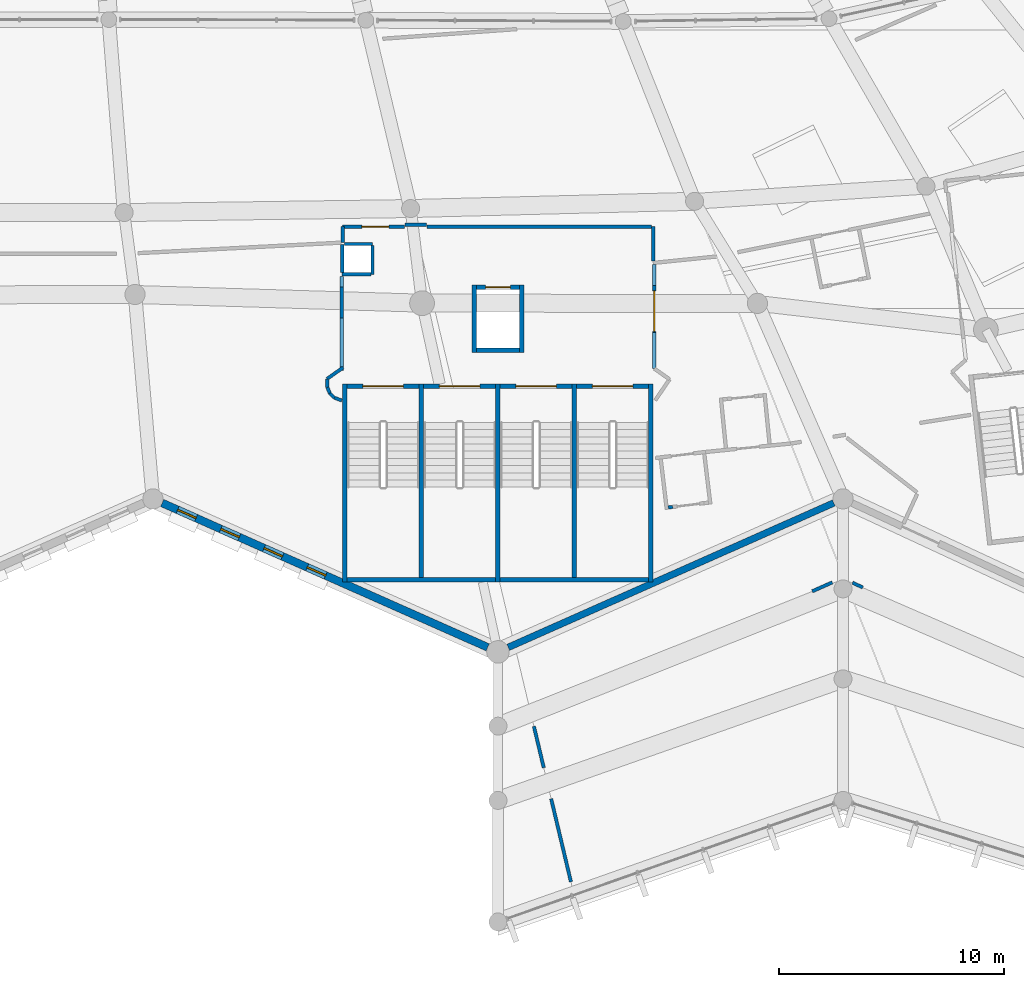
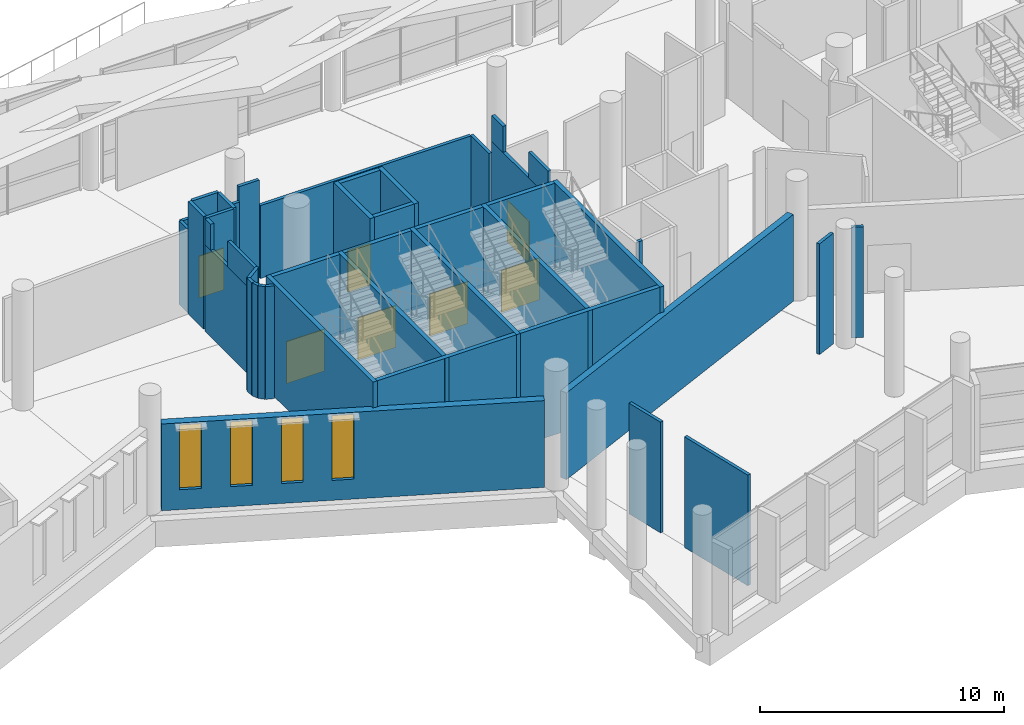
# One storey, part 148 of 249: 42 walls, 7 doors, 4 windows, 11 openings.
"""IFC4 building model written with IfcOpenShell, lengths in metres."""

from ifc_helpers import new_model, si_unit, direction, frame, frame_2d, origin, place, context, subcontext, project, spatial, rectangle, extrude, material, layer, layer_set, type_object, element, fill, save


model = new_model("IFC4")

# Units and contexts
model_context = context("Model", 3, precision=1e-05, world=origin(), true_north=direction((0.0, 1.0)))
body_context = subcontext(model_context, "Body", "Model", "MODEL_VIEW")
ifc_project = project(units=[si_unit("LENGTHUNIT", "METRE"), si_unit("AREAUNIT", "SQUARE_METRE"), si_unit("VOLUMEUNIT", "CUBIC_METRE"), si_unit("PLANEANGLEUNIT", "RADIAN"), si_unit("MASSUNIT", "GRAM", prefix="KILO")], contexts=[model_context])

# Site, building, storey
site_placement = place(None, origin())
site = spatial("IfcSite", under=ifc_project, at=site_placement, CompositionType="ELEMENT")
building_placement = place(site_placement, origin())
building = spatial("IfcBuilding", under=site, at=building_placement, Name="Meseta Stadium", CompositionType="ELEMENT")
storey_placement = place(building_placement, frame((0.0, 0.0, 12.0)))
storey = spatial("IfcBuildingStorey", under=building, at=storey_placement, Name="L02", CompositionType="ELEMENT", Elevation=12.0)

# Walls
ifc_material_1 = material(Name="Concrete C40/50", Category="concrete")
ifc_layer_1 = layer(ifc_material_1, 0.199951171875)
ifc_layer_set_1 = layer_set([ifc_layer_1], Name="Core divider wall 200")
wall_type_1 = type_object("IfcWallType", Name="Core divider wall 200", PredefinedType="SHEAR", material=ifc_layer_set_1)
for number, where, z_axis, x_axis, name in (
    (1, (19.60009765625, -102.300048828125, 0.0), (0.0, 0.0, 1.0), (0.0, 1.0, 0.0), "Core 25 L02 stair A divider wall"),
    (2, (26.39990234375, -102.300048828125, 0.0), (0.0, 0.0, 1.0), (0.0, 1.0, 0.0), "Core 25 L02 stair B divider wall"),
):
    element("IfcWall", number, at=place(storey_placement, frame(where, z_axis=z_axis, x_axis=x_axis)), inside=storey, type_object=wall_type_1, Name=name, PredefinedType="SHEAR", context=body_context, shape_type="SweptSolid", body=[
        extrude(rectangle(XDim=8.800048828125, YDim=0.199951171875, at=frame_2d((4.39990234375, 0.0))), origin(), (0.0, 0.0, 1.0), 5.64990234375),
    ])
ifc_material_2 = material(Name="Concrete C40/50", Category="concrete")
ifc_layer_2 = layer(ifc_material_2, 0.199951171875)
ifc_layer_set_2 = layer_set([ifc_layer_2], Name="Core shaft wall 200")
wall_type_2 = type_object("IfcWallType", Name="Core shaft wall 200", PredefinedType="SHEAR", material=ifc_layer_set_2)
for number, where, z_axis, x_axis, name in (
    (3, (16.199951171875, -102.300048828125, 0.0), (0.0, 0.0, 1.0), (0.0, 1.0, 0.0), "Core 25 L02 stair wall A-side"),
    (4, (23.0, -102.300048828125, 0.0), (0.0, 0.0, 1.0), (0.0, 1.0, 0.0), "Core 25 L02 stair wall shared"),
    (5, (29.800048828125, -102.300048828125, 0.0), (0.0, 0.0, 1.0), (0.0, 1.0, 0.0), "Core 25 L02 stair wall B-side"),
):
    element("IfcWall", number, at=place(storey_placement, frame(where, z_axis=z_axis, x_axis=x_axis)), inside=storey, type_object=wall_type_2, Name=name, PredefinedType="SHEAR", context=body_context, shape_type="SweptSolid", body=[
        extrude(rectangle(XDim=8.800048828125, YDim=0.199951171875, at=frame_2d((4.39990234375, 0.0))), origin(), (0.0, 0.0, 1.0), 5.64990234375),
    ])
for number, where, z_axis, x_axis, name in (
    (6, (16.300048828125, -102.199951171875, 0.0), (0.0, 0.0, 1.0), (1.0, 0.0, 0.0), "Core 25 L02 stair A outer end wall"),
    (7, (23.10009765625, -102.199951171875, 0.0), (0.0, 0.0, 1.0), (1.0, 0.0, 0.0), "Core 25 L02 stair B outer end wall"),
):
    element("IfcWall", number, at=place(storey_placement, frame(where, z_axis=z_axis, x_axis=x_axis)), inside=storey, type_object=wall_type_2, Name=name, PredefinedType="SHEAR", context=body_context, shape_type="SweptSolid", body=[
        extrude(rectangle(XDim=6.599853515625, YDim=0.199951171875, at=frame_2d((3.2998046875, 0.0))), origin(), (0.0, 0.0, 1.0), 5.64990234375),
    ])

# Wall, opening, door
wall_1_placement = place(storey_placement, frame((16.300048828125, -93.60009765625, 0.0), z_axis=(0.0, 0.0, 1.0), x_axis=(1.0, 0.0, 0.0)))
wall_1 = element("IfcWall", 8, at=wall_1_placement, inside=storey, type_object=wall_type_2, Name="Core 25 L02 stair A1 inner end wall", PredefinedType="SHEAR", context=body_context, shape_type="SweptSolid", body=[
    extrude(rectangle(XDim=3.199951171875, YDim=0.199951171875, at=frame_2d((1.60009765625, 0.0))), origin(), (0.0, 0.0, 1.0), 5.64990234375),
])
opening_1_placement = place(wall_1_placement, frame((0.699951171875, 0.0, 0.0)))
opening_1 = element("IfcOpeningElement", 9, at=opening_1_placement, cuts=wall_1, Name="Opening D1130", PredefinedType="OPENING", context=body_context, shape_type="SweptSolid", body=[
    extrude(rectangle(XDim=1.800048828125, YDim=2.10009765625, at=frame_2d((0.89990234375, 1.050048828125))), frame((0.0, 0.10986328125, 0.0), z_axis=(0.0, -1.0, 0.0), x_axis=(1.0, 0.0, 0.0)), (0.0, 0.0, 1.0), 0.219970703125),
])
ifc_material_3 = material(Name="Steel", Category="steel")
door_type_1 = type_object("IfcDoorType", Name="Stair door 1800x2100", OperationType="DOUBLE_DOOR_SINGLE_SWING", PredefinedType="DOOR", material=ifc_material_3)
door_1_placement = place(opening_1_placement, origin())
door_1 = element("IfcDoor", 10, at=door_1_placement, inside=storey, type_object=door_type_1, Name="Stair A1 door 25 L02", OperationType="DOUBLE_DOOR_SINGLE_SWING", OverallHeight=2.10009765625, OverallWidth=1.800048828125, PredefinedType="DOOR", context=body_context, shape_type="SweptSolid", body=[
    extrude(rectangle(XDim=1.800048828125, YDim=2.10009765625, at=frame_2d((0.89990234375, 1.050048828125))), frame((0.0, 0.02490234375, 0.0), z_axis=(0.0, -1.0, 0.0), x_axis=(1.0, 0.0, 0.0)), (0.0, 0.0, 1.0), 0.050048828125),
])
fill(opening_1, door_1)

wall_2_placement = place(storey_placement, frame((19.699951171875, -93.60009765625, 0.0), z_axis=(0.0, 0.0, 1.0), x_axis=(1.0, 0.0, 0.0)))
wall_2 = element("IfcWall", 11, at=wall_2_placement, inside=storey, type_object=wall_type_2, Name="Core 25 L02 stair A2 inner end wall", PredefinedType="SHEAR", context=body_context, shape_type="SweptSolid", body=[
    extrude(rectangle(XDim=3.199951171875, YDim=0.199951171875, at=frame_2d((1.60009765625, 0.0))), origin(), (0.0, 0.0, 1.0), 5.64990234375),
])
opening_2_placement = place(wall_2_placement, frame((0.699951171875, 0.0, 0.0)))
opening_2 = element("IfcOpeningElement", 12, at=opening_2_placement, cuts=wall_2, Name="Opening D1132", PredefinedType="OPENING", context=body_context, shape_type="SweptSolid", body=[
    extrude(rectangle(XDim=1.800048828125, YDim=2.10009765625, at=frame_2d((0.89990234375, 1.050048828125))), frame((0.0, 0.10986328125, 0.0), z_axis=(0.0, -1.0, 0.0), x_axis=(1.0, 0.0, 0.0)), (0.0, 0.0, 1.0), 0.219970703125),
])
door_2_placement = place(opening_2_placement, origin())
door_2 = element("IfcDoor", 13, at=door_2_placement, inside=storey, type_object=door_type_1, Name="Stair A2 door 25 L02", OperationType="DOUBLE_DOOR_SINGLE_SWING", OverallHeight=2.10009765625, OverallWidth=1.800048828125, PredefinedType="DOOR", context=body_context, shape_type="SweptSolid", body=[
    extrude(rectangle(XDim=1.800048828125, YDim=2.10009765625, at=frame_2d((0.89990234375, 1.050048828125))), frame((0.0, 0.02490234375, 0.0), z_axis=(0.0, -1.0, 0.0), x_axis=(1.0, 0.0, 0.0)), (0.0, 0.0, 1.0), 0.050048828125),
])
fill(opening_2, door_2)

wall_3_placement = place(storey_placement, frame((23.10009765625, -93.60009765625, 0.0), z_axis=(0.0, 0.0, 1.0), x_axis=(1.0, 0.0, 0.0)))
wall_3 = element("IfcWall", 14, at=wall_3_placement, inside=storey, type_object=wall_type_2, Name="Core 25 L02 stair B1 inner end wall", PredefinedType="SHEAR", context=body_context, shape_type="SweptSolid", body=[
    extrude(rectangle(XDim=3.199951171875, YDim=0.199951171875, at=frame_2d((1.60009765625, 0.0))), origin(), (0.0, 0.0, 1.0), 5.64990234375),
])
opening_3_placement = place(wall_3_placement, frame((0.699951171875, 0.0, 0.0)))
opening_3 = element("IfcOpeningElement", 15, at=opening_3_placement, cuts=wall_3, Name="Opening D1133", PredefinedType="OPENING", context=body_context, shape_type="SweptSolid", body=[
    extrude(rectangle(XDim=1.800048828125, YDim=2.10009765625, at=frame_2d((0.89990234375, 1.050048828125))), frame((0.0, 0.10986328125, 0.0), z_axis=(0.0, -1.0, 0.0), x_axis=(1.0, 0.0, 0.0)), (0.0, 0.0, 1.0), 0.219970703125),
])
door_3_placement = place(opening_3_placement, origin())
door_3 = element("IfcDoor", 16, at=door_3_placement, inside=storey, type_object=door_type_1, Name="Stair B1 door 25 L02", OperationType="DOUBLE_DOOR_SINGLE_SWING", OverallHeight=2.10009765625, OverallWidth=1.800048828125, PredefinedType="DOOR", context=body_context, shape_type="SweptSolid", body=[
    extrude(rectangle(XDim=1.800048828125, YDim=2.10009765625, at=frame_2d((0.89990234375, 1.050048828125))), frame((0.0, 0.02490234375, 0.0), z_axis=(0.0, -1.0, 0.0), x_axis=(1.0, 0.0, 0.0)), (0.0, 0.0, 1.0), 0.050048828125),
])
fill(opening_3, door_3)

wall_4_placement = place(storey_placement, frame((26.5, -93.60009765625, 0.0), z_axis=(0.0, 0.0, 1.0), x_axis=(1.0, 0.0, 0.0)))
wall_4 = element("IfcWall", 17, at=wall_4_placement, inside=storey, type_object=wall_type_2, Name="Core 25 L02 stair B2 inner end wall", PredefinedType="SHEAR", context=body_context, shape_type="SweptSolid", body=[
    extrude(rectangle(XDim=3.199951171875, YDim=0.199951171875, at=frame_2d((1.60009765625, 0.0))), origin(), (0.0, 0.0, 1.0), 5.64990234375),
])
opening_4_placement = place(wall_4_placement, frame((0.699951171875, 0.0, 0.0)))
opening_4 = element("IfcOpeningElement", 18, at=opening_4_placement, cuts=wall_4, Name="Opening D1134", PredefinedType="OPENING", context=body_context, shape_type="SweptSolid", body=[
    extrude(rectangle(XDim=1.800048828125, YDim=2.10009765625, at=frame_2d((0.89990234375, 1.050048828125))), frame((0.0, 0.10986328125, 0.0), z_axis=(0.0, -1.0, 0.0), x_axis=(1.0, 0.0, 0.0)), (0.0, 0.0, 1.0), 0.219970703125),
])
door_4_placement = place(opening_4_placement, origin())
door_4 = element("IfcDoor", 19, at=door_4_placement, inside=storey, type_object=door_type_1, Name="Stair B2 door 25 L02", OperationType="DOUBLE_DOOR_SINGLE_SWING", OverallHeight=2.10009765625, OverallWidth=1.800048828125, PredefinedType="DOOR", context=body_context, shape_type="SweptSolid", body=[
    extrude(rectangle(XDim=1.800048828125, YDim=2.10009765625, at=frame_2d((0.89990234375, 1.050048828125))), frame((0.0, 0.02490234375, 0.0), z_axis=(0.0, -1.0, 0.0), x_axis=(1.0, 0.0, 0.0)), (0.0, 0.0, 1.0), 0.050048828125),
])
fill(opening_4, door_4)

# Walls
for number, where, z_axis, x_axis, name in (
    (20, (21.949951171875, -92.10009765625, 0.0), (0.0, 0.0, 1.0), (0.0, 1.0, 0.0), "Core 25 L02 lift shaft wall left"),
    (21, (24.050048828125, -92.10009765625, 0.0), (0.0, 0.0, 1.0), (0.0, 1.0, 0.0), "Core 25 L02 lift shaft wall right"),
):
    element("IfcWall", number, at=place(storey_placement, frame(where, z_axis=z_axis, x_axis=x_axis)), inside=storey, type_object=wall_type_2, Name=name, PredefinedType="SHEAR", context=body_context, shape_type="SweptSolid", body=[
        extrude(rectangle(XDim=3.0, YDim=0.199951171875, at=frame_2d((1.5, 0.0))), origin(), (0.0, 0.0, 1.0), 5.64990234375),
    ])
wall_5_placement = place(storey_placement, frame((22.050048828125, -92.0, 0.0), z_axis=(0.0, 0.0, 1.0), x_axis=(1.0, 0.0, 0.0)))
element("IfcWall", 22, at=wall_5_placement, inside=storey, type_object=wall_type_2, Name="Core 25 L02 lift shaft back wall", PredefinedType="SHEAR", context=body_context, shape_type="SweptSolid", body=[
    extrude(rectangle(XDim=1.89990234375, YDim=0.199951171875, at=frame_2d((0.949951171875, 0.0))), origin(), (0.0, 0.0, 1.0), 5.64990234375),
])

# Wall, opening, door
wall_6_placement = place(storey_placement, frame((22.050048828125, -89.199951171875, 0.0), z_axis=(0.0, 0.0, 1.0), x_axis=(1.0, 0.0, 0.0)))
wall_6 = element("IfcWall", 23, at=wall_6_placement, inside=storey, type_object=wall_type_2, Name="Core 25 L02 lift shaft front wall", PredefinedType="SHEAR", context=body_context, shape_type="SweptSolid", body=[
    extrude(rectangle(XDim=1.89990234375, YDim=0.199951171875, at=frame_2d((0.949951171875, 0.0))), origin(), (0.0, 0.0, 1.0), 5.64990234375),
])
opening_5_placement = place(wall_6_placement, frame((0.39990234375, 0.0, 0.0)))
opening_5 = element("IfcOpeningElement", 24, at=opening_5_placement, cuts=wall_6, Name="Opening LD138", PredefinedType="OPENING", context=body_context, shape_type="SweptSolid", body=[
    extrude(rectangle(XDim=1.10009765625, YDim=2.10009765625, at=frame_2d((0.550048828125, 1.050048828125))), frame((0.0, 0.10986328125, 0.0), z_axis=(0.0, -1.0, 0.0), x_axis=(1.0, 0.0, 0.0)), (0.0, 0.0, 1.0), 0.219970703125),
])
ifc_material_4 = material(Name="Steel", Category="steel")
door_type_2 = type_object("IfcDoorType", Name="Lift landing door 1100x2100", OperationType="SLIDING_TO_LEFT", PredefinedType="DOOR", material=ifc_material_4)
door_5_placement = place(opening_5_placement, origin())
door_5 = element("IfcDoor", 25, at=door_5_placement, inside=storey, type_object=door_type_2, Name="Lift landing door LD138", OperationType="SLIDING_TO_RIGHT", OverallHeight=2.10009765625, OverallWidth=1.10009765625, PredefinedType="DOOR", context=body_context, shape_type="SweptSolid", body=[
    extrude(rectangle(XDim=1.10009765625, YDim=2.10009765625, at=frame_2d((0.550048828125, 1.050048828125))), frame((0.0, 0.02490234375, 0.0), z_axis=(0.0, -1.0, 0.0), x_axis=(1.0, 0.0, 0.0)), (0.0, 0.0, 1.0), 0.050048828125),
])
fill(opening_5, door_5)

ifc_material_5 = material(Name="Masonry blockwork", Category="masonry")
ifc_layer_3 = layer(ifc_material_5, 0.14990234375)
ifc_layer_set_3 = layer_set([ifc_layer_3], Name="Partition 150")
wall_type_3 = type_object("IfcWallType", Name="Partition 150", PredefinedType="PARTITIONING", material=ifc_layer_set_3)
wall_7_placement = place(storey_placement, frame((18.85107421875, -86.5, 0.0), z_axis=(0.0, 0.0, 1.0), x_axis=(-1.0, 0.0, 0.0)))
wall_7 = element("IfcWall", 26, at=wall_7_placement, inside=storey, type_object=wall_type_3, Name="Partition L02 L02-cell23-0-0", PredefinedType="PARTITIONING", context=body_context, shape_type="SweptSolid", body=[
    extrude(rectangle(XDim=2.7509765625, YDim=0.14990234375, at=frame_2d((1.37548828125, 0.0))), origin(), (0.0, 0.0, 1.0), 4.181396484375),
])
opening_6_placement = place(wall_7_placement, frame((0.699951171875, 0.0, 0.0)))
opening_6 = element("IfcOpeningElement", 27, at=opening_6_placement, cuts=wall_7, Name="Opening D1129", PredefinedType="OPENING", context=body_context, shape_type="SweptSolid", body=[
    extrude(rectangle(XDim=1.199951171875, YDim=2.10009765625, at=frame_2d((0.60009765625, 1.050048828125))), frame((0.0, 0.0849609375, 0.0), z_axis=(0.0, -1.0, 0.0), x_axis=(1.0, 0.0, 0.0)), (0.0, 0.0, 1.0), 0.169921875),
])
ifc_material_6 = material(Name="Steel", Category="steel")
door_type_3 = type_object("IfcDoorType", Name="Fire door 1200x2100 EI2 60", OperationType="NOTDEFINED", PredefinedType="DOOR", material=ifc_material_6)
door_6_placement = place(opening_6_placement, origin())
door_6 = element("IfcDoor", 28, at=door_6_placement, inside=storey, type_object=door_type_3, Name="Room door L02 L02-cell23-0-0", OperationType="SINGLE_SWING_LEFT", OverallHeight=2.10009765625, OverallWidth=1.199951171875, PredefinedType="DOOR", context=body_context, shape_type="SweptSolid", body=[
    extrude(rectangle(XDim=1.199951171875, YDim=2.10009765625, at=frame_2d((0.60009765625, 1.050048828125))), frame((0.0, 0.02490234375, 0.0), z_axis=(0.0, -1.0, 0.0), x_axis=(1.0, 0.0, 0.0)), (0.0, 0.0, 1.0), 0.050048828125),
])
fill(opening_6, door_6)

# Walls
wall_8_placement = place(storey_placement, frame((16.10009765625, -86.5, 0.0), z_axis=(0.0, 0.0, 1.0), x_axis=(0.0, -1.0, 0.0)))
element("IfcWall", 29, at=wall_8_placement, inside=storey, type_object=wall_type_3, Name="Partition L02 L02-cell23-0-0", PredefinedType="PARTITIONING", context=body_context, shape_type="SweptSolid", body=[
    extrude(rectangle(XDim=0.7099609375, YDim=0.14990234375, at=frame_2d((0.35498046875, 0.0))), origin(), (0.0, 0.0, 1.0), 4.181396484375),
])
wall_9_placement = place(storey_placement, frame((29.89990234375, -88.03955078125, 0.0), z_axis=(0.0, 0.0, 1.0), x_axis=(0.0, 1.0, 0.0)))
element("IfcWall", 30, at=wall_9_placement, inside=storey, type_object=wall_type_3, Name="Partition L02 L02-cell24-0-0", PredefinedType="PARTITIONING", context=body_context, shape_type="SweptSolid", body=[
    extrude(rectangle(XDim=1.53955078125, YDim=0.14990234375, at=frame_2d((0.769775390625, 0.0))), origin(), (0.0, 0.0, 1.0), 3.655029296875),
])
wall_10_placement = place(storey_placement, frame((29.824951171875, -86.5, 0.0), z_axis=(0.0, 0.0, 1.0), x_axis=(-1.0, 0.0, 0.0)))
element("IfcWall", 31, at=wall_10_placement, inside=storey, type_object=wall_type_3, Name="Partition L02 L02-cell24-0-0", PredefinedType="PARTITIONING", context=body_context, shape_type="SweptSolid", body=[
    extrude(rectangle(XDim=9.986328125, YDim=0.14990234375, at=frame_2d((4.9931640625, 0.0))), origin(), (0.0, 0.0, 1.0), 3.655029296875),
])
wall_11_placement = place(storey_placement, frame((26.24267578125, -115.619384765625, 0.0), z_axis=(0.0, 0.0, 1.0), x_axis=(-0.231582809657, 0.972815194305, 0.0)))
element("IfcWall", 32, at=wall_11_placement, inside=storey, type_object=wall_type_3, Name="Partition L02 L02-ring24-0", PredefinedType="PARTITIONING", context=body_context, shape_type="SweptSolid", body=[
    extrude(rectangle(XDim=3.7919921875, YDim=0.14990234375, at=frame_2d((1.89599609375, 0.0))), origin(), (0.0, 0.0, 1.0), 5.550048828125),
])
wall_12_placement = place(storey_placement, frame((25.034912109375, -110.547119140625, 0.0), z_axis=(0.0, 0.0, 1.0), x_axis=(-0.231521878941, 0.972829697106, 0.0)))
element("IfcWall", 33, at=wall_12_placement, inside=storey, type_object=wall_type_3, Name="Partition L02 L02-ring24-0", PredefinedType="PARTITIONING", context=body_context, shape_type="SweptSolid", body=[
    extrude(rectangle(XDim=1.89599609375, YDim=0.14990234375, at=frame_2d((0.947998046875, 0.0))), origin(), (0.0, 0.0, 1.0), 5.550048828125),
])
wall_13_placement = place(storey_placement, frame((36.964599609375, -102.70751953125, 0.0), z_axis=(0.0, 0.0, 1.0), x_axis=(0.914193086295, 0.4052789175, 0.0)))
element("IfcWall", 34, at=wall_13_placement, inside=storey, type_object=wall_type_3, Name="Partition L02 L02-ring24-0", PredefinedType="PARTITIONING", context=body_context, shape_type="SweptSolid", body=[
    extrude(rectangle(XDim=0.975341796875, YDim=0.14990234375, at=frame_2d((0.48779296875, 0.0))), origin(), (0.0, 0.0, 1.0), 5.550048828125),
])
wall_14_placement = place(storey_placement, frame((38.7548828125, -102.325439453125, 0.0), z_axis=(0.0, 0.0, 1.0), x_axis=(0.906755828453, -0.421656101067, 0.0)))
element("IfcWall", 35, at=wall_14_placement, inside=storey, type_object=wall_type_3, Name="Partition L02 L02-ring24-0", PredefinedType="PARTITIONING", context=body_context, shape_type="SweptSolid", body=[
    extrude(rectangle(XDim=0.500244140625, YDim=0.14990234375, at=frame_2d((0.25, 0.0))), origin(), (0.0, 0.0, 1.0), 5.550048828125),
])
wall_15_placement = place(storey_placement, frame((16.074951171875, -88.625, 0.0), z_axis=(0.0, 0.0, 1.0), x_axis=(1.0, 0.0, 0.0)))
element("IfcWall", 36, at=wall_15_placement, inside=storey, type_object=wall_type_3, Name="Pressurisation shaft wall L02 core 25", PredefinedType="PARTITIONING", context=body_context, shape_type="SweptSolid", body=[
    extrude(rectangle(XDim=1.275146484375, YDim=0.14990234375, at=frame_2d((0.6376953125, 0.0))), origin(), (0.0, 0.0, 1.0), 5.64990234375),
])
wall_16_placement = place(storey_placement, frame((17.425048828125, -88.625, 0.0), z_axis=(0.0, 0.0, 1.0), x_axis=(0.0, 1.0, 0.0)))
element("IfcWall", 37, at=wall_16_placement, inside=storey, type_object=wall_type_3, Name="Pressurisation shaft wall L02 core 25", PredefinedType="PARTITIONING", context=body_context, shape_type="SweptSolid", body=[
    extrude(rectangle(XDim=1.27490234375, YDim=0.14990234375, at=frame_2d((0.637451171875, 0.0))), origin(), (0.0, 0.0, 1.0), 5.64990234375),
])
wall_17_placement = place(storey_placement, frame((17.425048828125, -87.27490234375, 0.0), z_axis=(0.0, 0.0, 1.0), x_axis=(-1.0, 0.0, 0.0)))
element("IfcWall", 38, at=wall_17_placement, inside=storey, type_object=wall_type_3, Name="Pressurisation shaft wall L02 core 25", PredefinedType="PARTITIONING", context=body_context, shape_type="SweptSolid", body=[
    extrude(rectangle(XDim=1.2490234375, YDim=0.14990234375, at=frame_2d((0.62451171875, 0.0))), origin(), (0.0, 0.0, 1.0), 5.64990234375),
])
wall_18_placement = place(storey_placement, frame((16.074951171875, -87.291259765625, 0.0), z_axis=(0.0, 0.0, 1.0), x_axis=(0.0, -1.0, 0.0)))
element("IfcWall", 39, at=wall_18_placement, inside=storey, type_object=wall_type_3, Name="Pressurisation shaft wall L02 core 25", PredefinedType="PARTITIONING", context=body_context, shape_type="SweptSolid", body=[
    extrude(rectangle(XDim=1.2587890625, YDim=0.14990234375, at=frame_2d((0.62939453125, 0.0))), origin(), (0.0, 0.0, 1.0), 5.64990234375),
])
wall_19_placement = place(storey_placement, frame((16.119384765625, -92.763916015625, 0.0), z_axis=(0.0, 0.0, 1.0), x_axis=(-0.817709179483, -0.575631564275, 0.0)))
element("IfcWall", 40, at=wall_19_placement, inside=storey, type_object=wall_type_3, Name="Stair vestibule wall L02 core 25", PredefinedType="PARTITIONING", context=body_context, shape_type="SweptSolid", body=[
    extrude(rectangle(XDim=0.87548828125, YDim=0.14990234375, at=frame_2d((0.437744140625, 0.0))), origin(), (0.0, 0.0, 1.0), 5.64990234375),
])
wall_20_placement = place(storey_placement, frame((15.403564453125, -93.267822265625, 0.0), z_axis=(0.0, 0.0, 1.0), x_axis=(0.038982051143, -0.999239910977, 0.0)))
element("IfcWall", 41, at=wall_20_placement, inside=storey, type_object=wall_type_3, Name="Stair vestibule wall L02 core 25", PredefinedType="PARTITIONING", context=body_context, shape_type="SweptSolid", body=[
    extrude(rectangle(XDim=0.375732421875, YDim=0.14990234375, at=frame_2d((0.18798828125, 0.0))), origin(), (0.0, 0.0, 1.0), 5.64990234375),
])
wall_21_placement = place(storey_placement, frame((15.418212890625, -93.643310546875, 0.0), z_axis=(0.0, 0.0, 1.0), x_axis=(0.382275228123, -0.924048510611, 0.0)))
element("IfcWall", 42, at=wall_21_placement, inside=storey, type_object=wall_type_3, Name="Stair vestibule wall L02 core 25", PredefinedType="PARTITIONING", context=body_context, shape_type="SweptSolid", body=[
    extrude(rectangle(XDim=0.28173828125, YDim=0.14990234375, at=frame_2d((0.140869140625, 0.0))), origin(), (0.0, 0.0, 1.0), 5.64990234375),
])
wall_22_placement = place(storey_placement, frame((15.52587890625, -93.903564453125, 0.0), z_axis=(0.0, 0.0, 1.0), x_axis=(0.707534941396, -0.706678361564, 0.0)))
element("IfcWall", 43, at=wall_22_placement, inside=storey, type_object=wall_type_3, Name="Stair vestibule wall L02 core 25", PredefinedType="PARTITIONING", context=body_context, shape_type="SweptSolid", body=[
    extrude(rectangle(XDim=0.284912109375, YDim=0.14990234375, at=frame_2d((0.142578125, 0.0))), origin(), (0.0, 0.0, 1.0), 5.64990234375),
])
wall_23_placement = place(storey_placement, frame((15.7275390625, -94.10498046875, 0.0), z_axis=(0.0, 0.0, 1.0), x_axis=(0.937674325327, -0.347515265308, 0.0)))
element("IfcWall", 44, at=wall_23_placement, inside=storey, type_object=wall_type_3, Name="Stair vestibule wall L02 core 25", PredefinedType="PARTITIONING", context=body_context, shape_type="SweptSolid", body=[
    extrude(rectangle(XDim=0.356201171875, YDim=0.14990234375, at=frame_2d((0.17822265625, 0.0))), origin(), (0.0, 0.0, 1.0), 5.64990234375),
])

# Wall, opening, door
wall_24_placement = place(storey_placement, frame((29.9453125, -92.809326171875, 0.0), z_axis=(0.0, 0.0, 1.0), x_axis=(5.285971e-05, 0.999999998603, 0.0)))
wall_24 = element("IfcWall", 45, at=wall_24_placement, inside=storey, type_object=wall_type_3, Name="Stair vestibule wall L02 core 25", PredefinedType="PARTITIONING", context=body_context, shape_type="SweptSolid", body=[
    extrude(rectangle(XDim=4.61865234375, YDim=0.14990234375, at=frame_2d((2.309326171875, 0.0))), origin(), (0.0, 0.0, 1.0), 4.35009765625),
])
opening_7_placement = place(wall_24_placement, frame((1.64990234375, 0.0, 0.0)))
opening_7 = element("IfcOpeningElement", 46, at=opening_7_placement, cuts=wall_24, Name="Opening D1135", PredefinedType="OPENING", context=body_context, shape_type="SweptSolid", body=[
    extrude(rectangle(XDim=1.800048828125, YDim=2.10009765625, at=frame_2d((0.89990234375, 1.050048828125))), frame((0.0, 0.0849609375, 0.0), z_axis=(0.0, -1.0, 0.0), x_axis=(1.0, 0.0, 0.0)), (0.0, 0.0, 1.0), 0.169921875),
])
ifc_material_7 = material(Name="Steel", Category="steel")
door_type_4 = type_object("IfcDoorType", Name="Fire double door 1800x2100 EI2 60", OperationType="DOUBLE_DOOR_SINGLE_SWING", PredefinedType="DOOR", material=ifc_material_7)
door_7_placement = place(opening_7_placement, origin())
door_7 = element("IfcDoor", 47, at=door_7_placement, inside=storey, type_object=door_type_4, Name="Stair vestibule door L02 core 25", OperationType="DOUBLE_DOOR_SINGLE_SWING", OverallHeight=2.10009765625, OverallWidth=1.800048828125, PredefinedType="DOOR", context=body_context, shape_type="SweptSolid", body=[
    extrude(rectangle(XDim=1.800048828125, YDim=2.10009765625, at=frame_2d((0.89990234375, 1.050048828125))), frame((0.0, 0.02490234375, 0.0), z_axis=(0.0, -1.0, 0.0), x_axis=(1.0, 0.0, 0.0)), (0.0, 0.0, 1.0), 0.050048828125),
])
fill(opening_7, door_7)

# Walls
wall_25_placement = place(storey_placement, frame((29.9453125, -92.809326171875, 4.35009765625), z_axis=(0.0, 0.0, 1.0), x_axis=(0.0, 1.0, 0.0)))
element("IfcWall", 48, at=wall_25_placement, inside=storey, type_object=wall_type_3, Name="Stair vestibule wall L02 core 25", PredefinedType="PARTITIONING", context=body_context, shape_type="SweptSolid", body=[
    extrude(rectangle(XDim=1.60009765625, YDim=0.14990234375, at=frame_2d((0.800048828125, 0.0))), origin(), (0.0, 0.0, 1.0), 1.2998046875),
])
wall_26_placement = place(storey_placement, frame((29.9453125, -89.1083984375, 4.35009765625), z_axis=(0.0, 0.0, 1.0), x_axis=(0.00026602819, 0.999999964615, 0.0)))
element("IfcWall", 49, at=wall_26_placement, inside=storey, type_object=wall_type_3, Name="Stair vestibule wall L02 core 25", PredefinedType="PARTITIONING", context=body_context, shape_type="SweptSolid", body=[
    extrude(rectangle(XDim=0.917724609375, YDim=0.14990234375, at=frame_2d((0.458984375, 0.0))), origin(), (0.0, 0.0, 1.0), 1.2998046875),
])
wall_27_placement = place(storey_placement, frame((19.82861328125, -86.425048828125, 0.0), z_axis=(0.0, 0.0, 1.0), x_axis=(-1.0, 0.0, 0.0)))
element("IfcWall", 50, at=wall_27_placement, inside=storey, type_object=wall_type_3, Name="Stair vestibule wall L02 core 25", PredefinedType="PARTITIONING", context=body_context, shape_type="SweptSolid", body=[
    extrude(rectangle(XDim=0.967529296875, YDim=0.14990234375, at=frame_2d((0.48388671875, 0.0))), origin(), (0.0, 0.0, 1.0), 4.89990234375),
])
wall_28_placement = place(storey_placement, frame((16.054931640625, -88.7099609375, 0.0), z_axis=(0.0, 0.0, 1.0), x_axis=(0.0, -1.0, 0.0)))
element("IfcWall", 51, at=wall_28_placement, inside=storey, type_object=wall_type_3, Name="Stair vestibule wall L02 core 25", PredefinedType="PARTITIONING", context=body_context, shape_type="SweptSolid", body=[
    extrude(rectangle(XDim=4.17822265625, YDim=0.14990234375, at=frame_2d((2.089111328125, 0.0))), origin(), (0.0, 0.0, 1.0), 4.35009765625),
])
wall_29_placement = place(storey_placement, frame((16.054931640625, -88.7099609375, 4.35009765625), z_axis=(0.0, 0.0, 1.0), x_axis=(0.0, -1.0, 0.0)))
element("IfcWall", 52, at=wall_29_placement, inside=storey, type_object=wall_type_3, Name="Stair vestibule wall L02 core 25", PredefinedType="PARTITIONING", context=body_context, shape_type="SweptSolid", body=[
    extrude(rectangle(XDim=0.46435546875, YDim=0.14990234375, at=frame_2d((0.232177734375, 0.0))), origin(), (0.0, 0.0, 1.0), 1.2998046875),
])
wall_30_placement = place(storey_placement, frame((16.054931640625, -90.56689453125, 4.35009765625), z_axis=(0.0, 0.0, 1.0), x_axis=(0.0, -1.0, 0.0)))
element("IfcWall", 53, at=wall_30_placement, inside=storey, type_object=wall_type_3, Name="Stair vestibule wall L02 core 25", PredefinedType="PARTITIONING", context=body_context, shape_type="SweptSolid", body=[
    extrude(rectangle(XDim=2.3212890625, YDim=0.14990234375, at=frame_2d((1.16064453125, 0.0))), origin(), (0.0, 0.0, 1.0), 1.2998046875),
])
wall_31_placement = place(storey_placement, frame((30.56640625, -98.9814453125, 0.0), z_axis=(0.0, 0.0, 1.0), x_axis=(0.992830592569, 0.119529973061, 0.0)))
element("IfcWall", 54, at=wall_31_placement, inside=storey, type_object=wall_type_3, Name="Partition L02 L02-cell24-2-0 vestibule", PredefinedType="PARTITIONING", context=body_context, shape_type="SweptSolid", body=[
    extrude(rectangle(XDim=0.2001953125, YDim=0.14990234375, at=frame_2d((0.10009765625, 0.0))), origin(), (0.0, 0.0, 1.0), 5.64990234375),
])
ifc_material_8 = material(Name="White precast concrete C40/50", Category="concrete")
ifc_layer_4 = layer(ifc_material_8, 0.300048828125)
ifc_layer_set_4 = layer_set([ifc_layer_4], Name="Pleated panel wall 300 concourse")
wall_type_4 = type_object("IfcWallType", Name="Pleated panel wall 300 concourse", PredefinedType="SOLIDWALL", material=ifc_layer_set_4)
wall_32_placement = place(storey_placement, frame((37.92236328125, -98.7822265625, 0.0), z_axis=(0.0, 0.0, 1.0), x_axis=(-0.914138897099, -0.405401130748, 0.0)))
element("IfcWall", 55, at=wall_32_placement, inside=storey, type_object=wall_type_4, Name="Pleated facade panel L02 F48", PredefinedType="SOLIDWALL", context=body_context, shape_type="SweptSolid", body=[
    extrude(rectangle(XDim=15.824462890625, YDim=0.300048828125, at=frame_2d((7.912109375, 0.0))), origin(), (0.0, 0.0, 1.0), 4.35009765625),
])

# Wall, openings, windows
ifc_material_9 = material(Name="White precast concrete C40/50", Category="concrete")
ifc_layer_5 = layer(ifc_material_9, 0.35009765625)
ifc_layer_set_5 = layer_set([ifc_layer_5], Name="Pleated panel wall 350 gate")
wall_type_5 = type_object("IfcWallType", Name="Pleated panel wall 350 gate", PredefinedType="SOLIDWALL", material=ifc_layer_set_5)
wall_33_placement = place(storey_placement, frame((22.54345703125, -105.197509765625, 0.0), z_axis=(0.0, 0.0, 1.0), x_axis=(-0.914138897099, 0.405401130748, 0.0)))
wall_33 = element("IfcWall", 56, at=wall_33_placement, inside=storey, type_object=wall_type_5, Name="Pleated facade panel L02 F47", PredefinedType="SOLIDWALL", context=body_context, shape_type="SweptSolid", body=[
    extrude(rectangle(XDim=15.824462890625, YDim=0.35009765625, at=frame_2d((7.912109375, 0.0))), origin(), (0.0, 0.0, 1.0), 4.35009765625),
])
opening_8_placement = place(wall_33_placement, frame((14.174072265625, 0.0, 1.0)))
opening_8 = element("IfcOpeningElement", 57, at=opening_8_placement, cuts=wall_33, Name="Opening W027", PredefinedType="OPENING", context=body_context, shape_type="SweptSolid", body=[
    extrude(rectangle(XDim=0.89990234375, YDim=3.25, at=frame_2d((0.449951171875, 1.625))), frame((0.0, 0.18505859375, 0.0), z_axis=(0.0, -1.0, 0.0), x_axis=(1.0, 0.0, 0.0)), (0.0, 0.0, 1.0), 0.3701171875),
])
opening_9_placement = place(wall_33_placement, frame((12.073974609375, 0.0, 1.0)))
opening_9 = element("IfcOpeningElement", 58, at=opening_9_placement, cuts=wall_33, Name="Opening W028", PredefinedType="OPENING", context=body_context, shape_type="SweptSolid", body=[
    extrude(rectangle(XDim=0.89990234375, YDim=3.25, at=frame_2d((0.449951171875, 1.625))), frame((0.0, 0.18505859375, 0.0), z_axis=(0.0, -1.0, 0.0), x_axis=(1.0, 0.0, 0.0)), (0.0, 0.0, 1.0), 0.3701171875),
])
opening_10_placement = place(wall_33_placement, frame((9.973876953125, 0.0, 1.0)))
opening_10 = element("IfcOpeningElement", 59, at=opening_10_placement, cuts=wall_33, Name="Opening W029", PredefinedType="OPENING", context=body_context, shape_type="SweptSolid", body=[
    extrude(rectangle(XDim=0.89990234375, YDim=3.25, at=frame_2d((0.449951171875, 1.625))), frame((0.0, 0.18505859375, 0.0), z_axis=(0.0, -1.0, 0.0), x_axis=(1.0, 0.0, 0.0)), (0.0, 0.0, 1.0), 0.3701171875),
])
opening_11_placement = place(wall_33_placement, frame((7.8740234375, 0.0, 1.0)))
opening_11 = element("IfcOpeningElement", 60, at=opening_11_placement, cuts=wall_33, Name="Opening W030", PredefinedType="OPENING", context=body_context, shape_type="SweptSolid", body=[
    extrude(rectangle(XDim=0.89990234375, YDim=3.25, at=frame_2d((0.449951171875, 1.625))), frame((0.0, 0.18505859375, 0.0), z_axis=(0.0, -1.0, 0.0), x_axis=(1.0, 0.0, 0.0)), (0.0, 0.0, 1.0), 0.3701171875),
])
ifc_material_10 = material(Name="Aluminium", Category="aluminium")
window_type = type_object("IfcWindowType", Name="Slot window 900x3250", PartitioningType="SINGLE_PANEL", PredefinedType="WINDOW", material=ifc_material_10)
window_1_placement = place(opening_8_placement, origin())
window_1 = element("IfcWindow", 61, at=window_1_placement, inside=storey, type_object=window_type, Name="Slot window L02 F47.1", OverallHeight=3.25, OverallWidth=0.89990234375, PartitioningType="SINGLE_PANEL", PredefinedType="WINDOW", context=body_context, shape_type="SweptSolid", body=[
    extrude(rectangle(XDim=0.89990234375, YDim=3.25, at=frame_2d((0.449951171875, 1.625))), frame((0.0, 0.030029296875, 0.0), z_axis=(0.0, -1.0, 0.0), x_axis=(1.0, 0.0, 0.0)), (0.0, 0.0, 1.0), 0.06005859375),
])
fill(opening_8, window_1)
window_2_placement = place(opening_9_placement, origin())
window_2 = element("IfcWindow", 62, at=window_2_placement, inside=storey, type_object=window_type, Name="Slot window L02 F47.2", OverallHeight=3.25, OverallWidth=0.89990234375, PartitioningType="SINGLE_PANEL", PredefinedType="WINDOW", context=body_context, shape_type="SweptSolid", body=[
    extrude(rectangle(XDim=0.89990234375, YDim=3.25, at=frame_2d((0.449951171875, 1.625))), frame((0.0, 0.030029296875, 0.0), z_axis=(0.0, -1.0, 0.0), x_axis=(1.0, 0.0, 0.0)), (0.0, 0.0, 1.0), 0.06005859375),
])
fill(opening_9, window_2)
window_3_placement = place(opening_10_placement, origin())
window_3 = element("IfcWindow", 63, at=window_3_placement, inside=storey, type_object=window_type, Name="Slot window L02 F47.3", OverallHeight=3.25, OverallWidth=0.89990234375, PartitioningType="SINGLE_PANEL", PredefinedType="WINDOW", context=body_context, shape_type="SweptSolid", body=[
    extrude(rectangle(XDim=0.89990234375, YDim=3.25, at=frame_2d((0.449951171875, 1.625))), frame((0.0, 0.030029296875, 0.0), z_axis=(0.0, -1.0, 0.0), x_axis=(1.0, 0.0, 0.0)), (0.0, 0.0, 1.0), 0.06005859375),
])
fill(opening_10, window_3)
window_4_placement = place(opening_11_placement, origin())
window_4 = element("IfcWindow", 64, at=window_4_placement, inside=storey, type_object=window_type, Name="Slot window L02 F47.4", OverallHeight=3.25, OverallWidth=0.89990234375, PartitioningType="SINGLE_PANEL", PredefinedType="WINDOW", context=body_context, shape_type="SweptSolid", body=[
    extrude(rectangle(XDim=0.89990234375, YDim=3.25, at=frame_2d((0.449951171875, 1.625))), frame((0.0, 0.030029296875, 0.0), z_axis=(0.0, -1.0, 0.0), x_axis=(1.0, 0.0, 0.0)), (0.0, 0.0, 1.0), 0.06005859375),
])
fill(opening_11, window_4)

save(model, "model.ifc")
